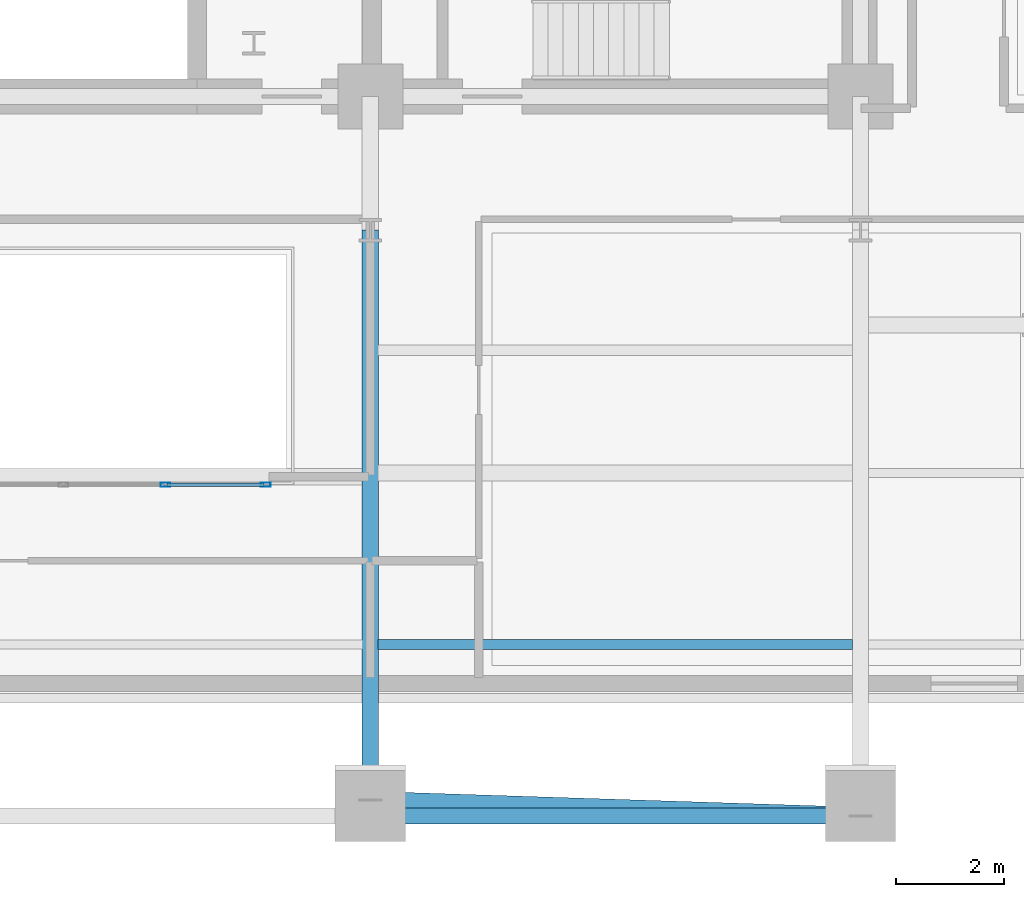
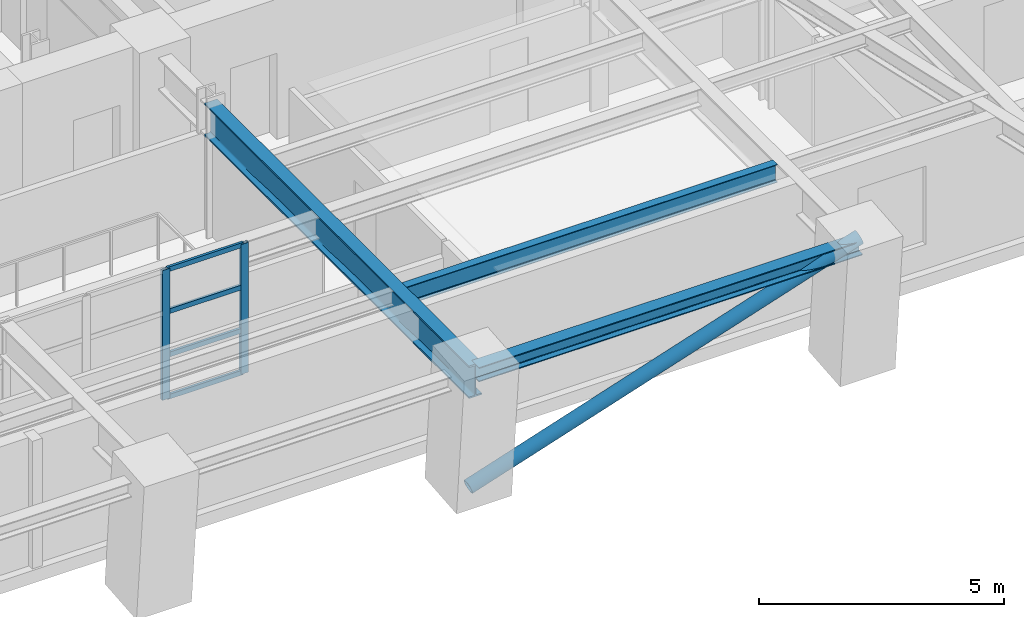
# One storey, part 5 of 15: 7 members, 3 beams, 1 element without a shape of its own.
"""IFC4 building model written with IfcOpenShell, lengths in metres."""

from ifc_helpers import new_model, si_unit, direction, frame, origin, origin_2d, place, context, subcontext, project, spatial, hollow_rectangle, hollow_circle, i_section, extrude, material, layer, layer_set, material_profile, profile_set, type_object, element, aggregate, save


model = new_model("IFC4")

# Units and contexts
model_context = context("Model", 3, precision=1e-05, world=origin(), true_north=direction((0.0, 1.0)))
body_context = subcontext(model_context, "Body", "Model", "MODEL_VIEW")
ifc_project = project(units=[si_unit("LENGTHUNIT", "METRE"), si_unit("AREAUNIT", "SQUARE_METRE"), si_unit("VOLUMEUNIT", "CUBIC_METRE"), si_unit("PLANEANGLEUNIT", "RADIAN"), si_unit("MASSUNIT", "GRAM", prefix="KILO")], contexts=[model_context])

# Site, building, storey
site_placement = place(None, origin())
site = spatial("IfcSite", under=ifc_project, at=site_placement, CompositionType="ELEMENT")
building_placement = place(site_placement, origin())
building = spatial("IfcBuilding", under=site, at=building_placement, Name="Zarnavel Station Tower", CompositionType="ELEMENT")
storey_placement = place(building_placement, frame((0.0, 0.0, 125.800048828125)))
storey = spatial("IfcBuildingStorey", under=building, at=storey_placement, Name="L34", CompositionType="ELEMENT", Elevation=125.800048828125)

# Curtain wall, members
ifc_material_1 = material(Name="Aluminium Dark Anodised and Solar-Control Glass", Category="aluminium")
ifc_layer = layer(ifc_material_1, 0.179931640625)
ifc_layer_set = layer_set([ifc_layer], Name="CWS3")
curtain_wall_type = type_object("IfcCurtainWallType", Name="CWS3", PredefinedType="NOTDEFINED", material=ifc_layer_set)
curtain_wall_placement = place(storey_placement, origin())
curtain_wall = element("IfcCurtainWall", 1, at=curtain_wall_placement, inside=storey, type_object=curtain_wall_type, Name="L34 Curtain Wall CWS3-L34-AS", PredefinedType="NOTDEFINED")
ifc_material_2 = material(Name="Steel S355J2 (Black Fluoropolymer Coated)", Category="steel")
ifc_material_profile_1 = material_profile(ifc_material_2, hollow_rectangle(XDim=0.080078125, YDim=0.179931640625, WallThickness=0.00634765625, at=origin_2d()), Name="RHS180x80x6.3")
ifc_profile_set_1 = profile_set([ifc_material_profile_1], Name="Steel S355J2 (Black Fluoropolymer Coated)")
member_type_1 = type_object("IfcMemberType", Name="CWS3_MUL", PredefinedType="MULLION", material=ifc_profile_set_1)
member_1_placement = place(storey_placement, frame((32.566650390625, 20.64990234375, 0.0), z_axis=(0.0, 0.0, 1.0), x_axis=(0.0, 1.0, 0.0)))
member_1 = element("IfcMember", 2, at=member_1_placement, type_object=member_type_1, Name="CW3 mullion 6", PredefinedType="MULLION", context=body_context, shape_type="SweptSolid", body=[
    extrude(hollow_rectangle(XDim=0.080078125, YDim=0.179931640625, WallThickness=0.00634765625, at=origin_2d()), origin(), (0.0, 0.0, 1.0), 3.239990234375),
])
member_2_placement = place(storey_placement, frame((34.419921875, 20.64990234375, 0.0), z_axis=(0.0, 0.0, 1.0), x_axis=(0.0, 1.0, 0.0)))
member_2 = element("IfcMember", 3, at=member_2_placement, type_object=member_type_1, Name="CW3 mullion 7", PredefinedType="MULLION", context=body_context, shape_type="SweptSolid", body=[
    extrude(hollow_rectangle(XDim=0.080078125, YDim=0.179931640625, WallThickness=0.00634765625, at=origin_2d()), origin(), (0.0, 0.0, 1.0), 3.239990234375),
])
ifc_material_3 = material(Name="Steel S355J2 (Black Fluoropolymer Coated)", Category="steel")
ifc_material_profile_2 = material_profile(ifc_material_3, hollow_rectangle(XDim=0.06005859375, YDim=0.1201171875, WallThickness=0.0048828125, at=origin_2d()), Name="RHS120x60x5")
ifc_profile_set_2 = profile_set([ifc_material_profile_2], Name="Steel S355J2 (Black Fluoropolymer Coated)")
member_type_2 = type_object("IfcMemberType", Name="CWS3_TRN", PredefinedType="USERDEFINED", material=ifc_profile_set_2)
member_3_placement = place(storey_placement, frame((32.5966796875, 20.64990234375, 0.030029296875), z_axis=(1.0, 0.0, 0.0), x_axis=(0.0, 1.0, 0.0)))
member_3 = element("IfcMember", 4, at=member_3_placement, type_object=member_type_2, Name="CW3 transom 6.1", ObjectType="TRANSOM", PredefinedType="USERDEFINED", context=body_context, shape_type="SweptSolid", body=[
    extrude(hollow_rectangle(XDim=0.06005859375, YDim=0.1201171875, WallThickness=0.0048828125, at=origin_2d()), origin(), (0.0, 0.0, 1.0), 1.793212890625),
])
member_4_placement = place(storey_placement, frame((32.5966796875, 20.64990234375, 1.079833984375), z_axis=(1.0, 0.0, 0.0), x_axis=(0.0, 1.0, 0.0)))
member_4 = element("IfcMember", 5, at=member_4_placement, type_object=member_type_2, Name="CW3 transom 6.2", ObjectType="TRANSOM", PredefinedType="USERDEFINED", context=body_context, shape_type="SweptSolid", body=[
    extrude(hollow_rectangle(XDim=0.06005859375, YDim=0.1201171875, WallThickness=0.0048828125, at=origin_2d()), origin(), (0.0, 0.0, 1.0), 1.793212890625),
])
member_5_placement = place(storey_placement, frame((32.5966796875, 20.64990234375, 2.159912109375), z_axis=(1.0, 0.0, 0.0), x_axis=(0.0, 1.0, 0.0)))
member_5 = element("IfcMember", 6, at=member_5_placement, type_object=member_type_2, Name="CW3 transom 6.3", ObjectType="TRANSOM", PredefinedType="USERDEFINED", context=body_context, shape_type="SweptSolid", body=[
    extrude(hollow_rectangle(XDim=0.06005859375, YDim=0.1201171875, WallThickness=0.0048828125, at=origin_2d()), origin(), (0.0, 0.0, 1.0), 1.793212890625),
])
member_6_placement = place(storey_placement, frame((32.5966796875, 20.64990234375, 3.2099609375), z_axis=(1.0, 0.0, 0.0), x_axis=(0.0, 1.0, 0.0)))
member_6 = element("IfcMember", 7, at=member_6_placement, type_object=member_type_2, Name="CW3 transom 6.4", ObjectType="TRANSOM", PredefinedType="USERDEFINED", context=body_context, shape_type="SweptSolid", body=[
    extrude(hollow_rectangle(XDim=0.06005859375, YDim=0.1201171875, WallThickness=0.0048828125, at=origin_2d()), origin(), (0.0, 0.0, 1.0), 1.793212890625),
])
aggregate(curtain_wall, [member_1, member_2, member_3, member_4, member_5, member_6])

# Member
ifc_material_4 = material(Name="Steel S355J2", Category="steel")
ifc_material_profile_3 = material_profile(ifc_material_4, hollow_circle(Radius=0.161865234375, WallThickness=0.012451171875, at=origin_2d()), Name="CHS323.9x12.5")
ifc_profile_set_3 = profile_set([ifc_material_profile_3], Name="Steel S355J2")
member_type_3 = type_object("IfcMemberType", Name="DB_EXT_CHS324", PredefinedType="BRACE", material=ifc_profile_set_3)
member_7_placement = place(storey_placement, frame((36.35009765625, 14.827880859375, 0.0), z_axis=(0.941042303893, -0.030515076327, 0.336909798612), x_axis=(0.032409856061, 0.999474662625, 0.0)))
element("IfcMember", 8, at=member_7_placement, inside=storey, type_object=member_type_3, Name="L34 Persian Exterior Diagonal Frame Brace 2", PredefinedType="BRACE", context=body_context, shape_type="SweptSolid", body=[
    extrude(hollow_circle(Radius=0.161865234375, WallThickness=0.012451171875, at=origin_2d()), origin(), (0.0, 0.0, 1.0), 9.61669921875),
])

# Beams
ifc_material_5 = material(Name="Steel S355J2", Category="steel")
ifc_material_profile_4 = material_profile(ifc_material_5, i_section(OverallWidth=0.300048828125, OverallDepth=0.360107421875, WebThickness=0.012451171875, FlangeThickness=0.0224609375, FilletRadius=0.027099609375, at=origin_2d()), Name="HEB360")
ifc_profile_set_4 = profile_set([ifc_material_profile_4], Name="Steel S355J2")
beam_type_1 = type_object("IfcBeamType", Name="EB_HEB360", PredefinedType="SPANDREL", material=ifc_profile_set_4)
beam_1_placement = place(storey_placement, frame((36.35009765625, 14.534423828125, 3.06005859375), z_axis=(1.0, 0.0, 0.0), x_axis=(0.0, 1.0, 0.0)))
element("IfcBeam", 9, at=beam_1_placement, inside=storey, type_object=beam_type_1, Name="L34 South Raked Spandrel 4", PredefinedType="SPANDREL", context=body_context, shape_type="SweptSolid", body=[
    extrude(i_section(OverallWidth=0.300048828125, OverallDepth=0.360107421875, WebThickness=0.012451171875, FlangeThickness=0.0224609375, FilletRadius=0.027099609375, at=origin_2d()), origin(), (0.0, 0.0, 1.0), 9.0498046875),
])
ifc_material_6 = material(Name="Steel S355J2", Category="steel")
ifc_material_profile_5 = material_profile(ifc_material_6, i_section(OverallWidth=0.18994140625, OverallDepth=0.449951171875, WebThickness=0.009521484375, FlangeThickness=0.0146484375, FilletRadius=0.02099609375, at=origin_2d()), Name="IPE450")
ifc_profile_set_5 = profile_set([ifc_material_profile_5], Name="Steel S355J2")
beam_type_2 = type_object("IfcBeamType", Name="FB_IPE450", PredefinedType="BEAM", material=ifc_profile_set_5)
beam_2_placement = place(storey_placement, frame((36.4951171875, 17.70068359375, 3.014892578125), z_axis=(1.0, 0.0, 0.0), x_axis=(0.0, 1.0, 0.0)))
element("IfcBeam", 10, at=beam_2_placement, inside=storey, type_object=beam_type_2, Name="L34 East Bay Beam 1", PredefinedType="BEAM", context=body_context, shape_type="SweptSolid", body=[
    extrude(i_section(OverallWidth=0.18994140625, OverallDepth=0.449951171875, WebThickness=0.009521484375, FlangeThickness=0.0146484375, FilletRadius=0.02099609375, at=origin_2d()), origin(), (0.0, 0.0, 1.0), 8.759765625),
])
ifc_material_7 = material(Name="Steel S460M", Category="steel")
ifc_material_profile_6 = material_profile(ifc_material_7, i_section(OverallWidth=0.302978515625, OverallDepth=0.81396484375, WebThickness=0.02099609375, FlangeThickness=0.0400390625, FilletRadius=0.030029296875, at=origin_2d()), Name="HEM800")
ifc_profile_set_6 = profile_set([ifc_material_profile_6], Name="Steel S460M")
beam_type_3 = type_object("IfcBeamType", Name="FG_HEM800", PredefinedType="USERDEFINED", material=ifc_profile_set_6)
beam_3_placement = place(storey_placement, frame((36.35009765625, 14.534423828125, 2.8330078125), z_axis=(0.0, 1.0, 0.0), x_axis=(-1.0, 0.0, 0.0)))
element("IfcBeam", 11, at=beam_3_placement, inside=storey, type_object=beam_type_3, Name="L34 South-Zone NS Girder 4", ObjectType="GIRDER", PredefinedType="USERDEFINED", context=body_context, shape_type="SweptSolid", body=[
    extrude(i_section(OverallWidth=0.302978515625, OverallDepth=0.81396484375, WebThickness=0.02099609375, FlangeThickness=0.0400390625, FilletRadius=0.030029296875, at=origin_2d()), origin(), (0.0, 0.0, 1.0), 10.815673828125),
])

save(model, "model.ifc")
